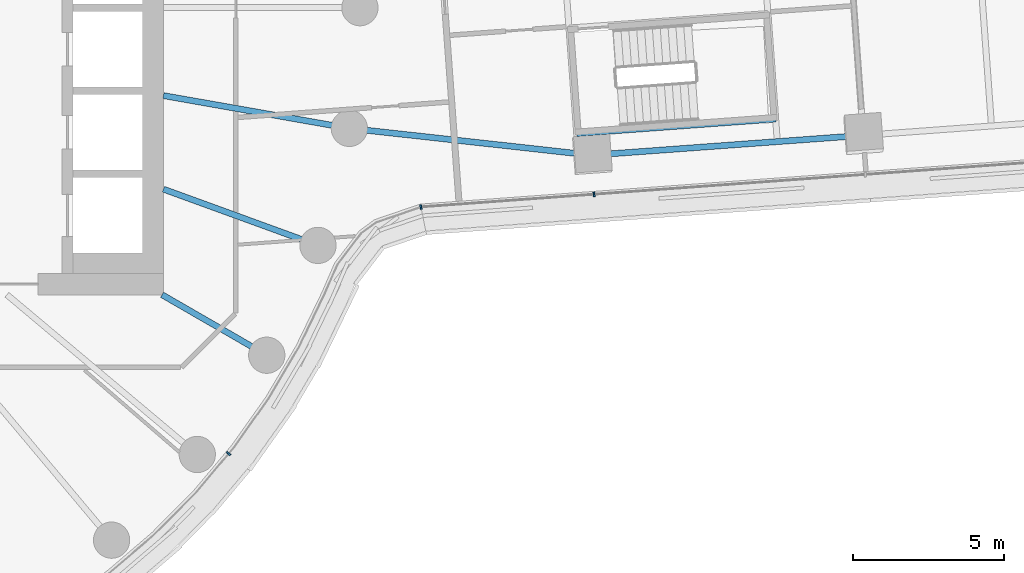
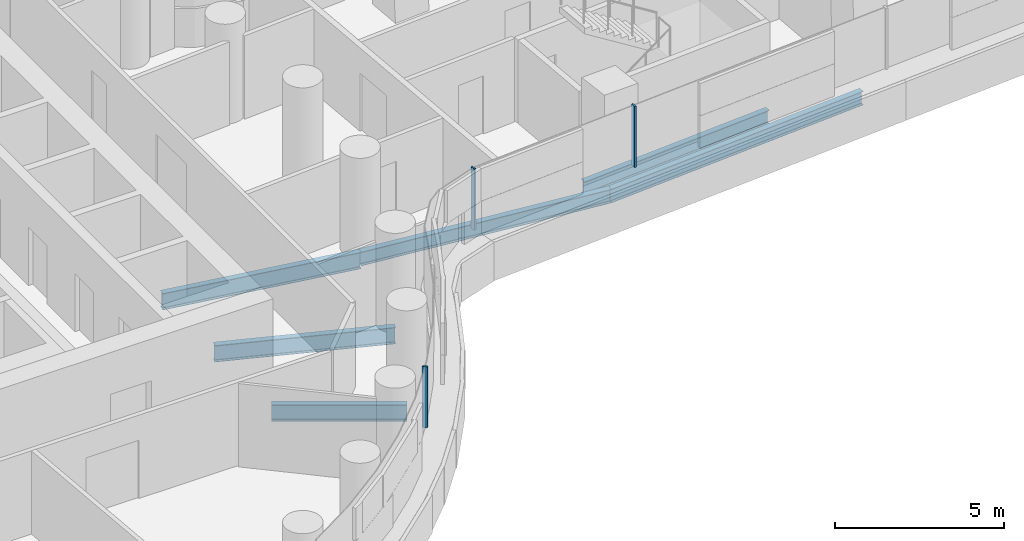
# One storey, part 9 of 31: 6 beams, 3 members, 2 elements without a shape of their own.
"""IFC4 building model written with IfcOpenShell, lengths in metres."""

from ifc_helpers import new_model, si_unit, direction, frame, origin, origin_2d, place, context, subcontext, project, spatial, rectangle, i_section, extrude, material, layer, layer_set, material_profile, profile_set, type_object, element, aggregate, save


model = new_model("IFC4")

# Units and contexts
model_context = context("Model", 3, precision=1e-05, world=origin(), true_north=direction((0.0, 1.0)))
body_context = subcontext(model_context, "Body", "Model", "MODEL_VIEW")
ifc_project = project(units=[si_unit("LENGTHUNIT", "METRE"), si_unit("AREAUNIT", "SQUARE_METRE"), si_unit("VOLUMEUNIT", "CUBIC_METRE"), si_unit("PLANEANGLEUNIT", "RADIAN"), si_unit("MASSUNIT", "GRAM", prefix="KILO")], contexts=[model_context])

# Site, building, storey
site_placement = place(None, origin())
site = spatial("IfcSite", under=ifc_project, at=site_placement, CompositionType="ELEMENT")
building_placement = place(site_placement, origin())
building = spatial("IfcBuilding", under=site, at=building_placement, Name="Tamarind Cross Interchange Tower", CompositionType="ELEMENT")
storey_placement = place(building_placement, frame((0.0, 0.0, 49.0)))
storey = spatial("IfcBuildingStorey", under=building, at=storey_placement, Name="L10", CompositionType="ELEMENT", Elevation=49.0)

# Beams
ifc_material_1 = material(Name="Steel Q355B", Category="steel")
ifc_material_profile_1 = material_profile(ifc_material_1, i_section(OverallWidth=0.198974609375, OverallDepth=0.49609375, WebThickness=0.009033203125, FlangeThickness=0.013916015625, FilletRadius=0.012939453125, at=origin_2d()), Name="HN 496x199x9x14")
ifc_profile_set_1 = profile_set([ifc_material_profile_1], Name="Steel Q355B")
beam_type_1 = type_object("IfcBeamType", Name="Composite beam HN 496x199x9x14 Q355B", PredefinedType="BEAM", material=ifc_profile_set_1)
beam_1_placement = place(storey_placement, frame((39.65478515625, -4.224609375, -0.387939453125), z_axis=(-0.997340028026, -0.072889426516, 0.0), x_axis=(0.072889426516, -0.997340028026, 0.0)))
element("IfcBeam", 1, at=beam_1_placement, inside=storey, type_object=beam_type_1, Name="Beam E-edgeem6", PredefinedType="BEAM", context=body_context, shape_type="SweptSolid", body=[
    extrude(i_section(OverallWidth=0.198974609375, OverallDepth=0.49609375, WebThickness=0.009033203125, FlangeThickness=0.013916015625, FilletRadius=0.012939453125, at=origin_2d()), origin(), (0.0, 0.0, 1.0), 9.0),
])
beam_2_placement = place(storey_placement, frame((30.6787109375, -4.880615234375, -0.387939453125), z_axis=(-0.993955405475, 0.109784570528, 0.0), x_axis=(-0.109784570528, -0.993955405475, 0.0)))
element("IfcBeam", 2, at=beam_2_placement, inside=storey, type_object=beam_type_1, Name="Beam E-linkem", PredefinedType="BEAM", context=body_context, shape_type="SweptSolid", body=[
    extrude(i_section(OverallWidth=0.198974609375, OverallDepth=0.49609375, WebThickness=0.009033203125, FlangeThickness=0.013916015625, FilletRadius=0.012939453125, at=origin_2d()), origin(), (0.0, 0.0, 1.0), 8.076904296875),
])
beam_3_placement = place(storey_placement, frame((30.17529296875, -4.165283203125, -0.387939453125), z_axis=(0.997341335164, 0.072871538843, 0.0), x_axis=(-0.072871538843, 0.997341335164, 0.0)))
element("IfcBeam", 3, at=beam_3_placement, inside=storey, type_object=beam_type_1, Name="Beam E-tr0", PredefinedType="BEAM", context=body_context, shape_type="SweptSolid", body=[
    extrude(i_section(OverallWidth=0.198974609375, OverallDepth=0.49609375, WebThickness=0.009033203125, FlangeThickness=0.013916015625, FilletRadius=0.012939453125, at=origin_2d()), origin(), (0.0, 0.0, 1.0), 6.60009765625),
])
ifc_material_profile_2 = material_profile(ifc_material_1, i_section(OverallWidth=0.198974609375, OverallDepth=0.595947265625, WebThickness=0.010009765625, FlangeThickness=0.014892578125, FilletRadius=0.012939453125, at=origin_2d()), Name="HN 596x199x10x15")
ifc_profile_set_2 = profile_set([ifc_material_profile_2], Name="Steel Q355B")
beam_type_2 = type_object("IfcBeamType", Name="Composite beam HN 596x199x10x15 Q355B", PredefinedType="BEAM", material=ifc_profile_set_2)
beam_4_placement = place(storey_placement, frame((19.918701171875, -11.5, -0.43798828125), z_axis=(-0.866026010844, 0.49999894854, 0.0), x_axis=(-0.49999894854, -0.866026010844, 0.0)))
element("IfcBeam", 4, at=beam_4_placement, inside=storey, type_object=beam_type_2, Name="Beam HH33", PredefinedType="BEAM", context=body_context, shape_type="SweptSolid", body=[
    extrude(i_section(OverallWidth=0.198974609375, OverallDepth=0.595947265625, WebThickness=0.010009765625, FlangeThickness=0.014892578125, FilletRadius=0.012939453125, at=origin_2d()), origin(), (0.0, 0.0, 1.0), 4.0),
])
beam_5_placement = place(storey_placement, frame((21.613037109375, -7.866455078125, -0.43798828125), z_axis=(-0.939701685589, 0.341995236956, 0.0), x_axis=(-0.341995236956, -0.939701685589, 0.0)))
element("IfcBeam", 5, at=beam_5_placement, inside=storey, type_object=beam_type_2, Name="Beam HH34", PredefinedType="BEAM", context=body_context, shape_type="SweptSolid", body=[
    extrude(i_section(OverallWidth=0.198974609375, OverallDepth=0.595947265625, WebThickness=0.010009765625, FlangeThickness=0.014892578125, FilletRadius=0.012939453125, at=origin_2d()), origin(), (0.0, 0.0, 1.0), 5.441162109375),
])
beam_6_placement = place(storey_placement, frame((22.650634765625, -3.993896484375, -0.43798828125), z_axis=(-0.984809127561, 0.173640382036, 0.0), x_axis=(-0.173640382036, -0.984809127561, 0.0)))
element("IfcBeam", 6, at=beam_6_placement, inside=storey, type_object=beam_type_2, Name="Beam HH35", PredefinedType="BEAM", context=body_context, shape_type="SweptSolid", body=[
    extrude(i_section(OverallWidth=0.198974609375, OverallDepth=0.595947265625, WebThickness=0.010009765625, FlangeThickness=0.014892578125, FilletRadius=0.012939453125, at=origin_2d()), origin(), (0.0, 0.0, 1.0), 6.24560546875),
])

# Curtain wall, member
ifc_material_2 = material(Name="Aluminium 6063-T6", Category="aluminium")
ifc_layer = layer(ifc_material_2, 0.159912109375)
ifc_layer_set = layer_set([ifc_layer], Name="Aluminium 6063-T6")
curtain_wall_type = type_object("IfcCurtainWallType", Name="Office curtain wall, 9.0 m bays", PredefinedType="NOTDEFINED", material=ifc_layer_set)
curtain_wall_1_placement = place(storey_placement, origin())
curtain_wall_1 = element("IfcCurtainWall", 7, at=curtain_wall_1_placement, inside=storey, type_object=curtain_wall_type, Name="CWS-L10-10", PredefinedType="NOTDEFINED")
ifc_material_profile_3 = material_profile(ifc_material_2, rectangle(XDim=0.06005859375, YDim=0.159912109375, at=origin_2d()), Name="Mullion CW1")
ifc_profile_set_3 = profile_set([ifc_material_profile_3], Name="Aluminium 6063-T6")
member_type = type_object("IfcMemberType", Name="Mullion CW1", PredefinedType="MULLION", material=ifc_profile_set_3)
member_1_placement = place(storey_placement, frame((18.655029296875, -14.756103515625, 1.39990234375), z_axis=(0.0, 0.0, 1.0), x_axis=(0.643009266048, 0.765858396687, 0.0)))
member_1 = element("IfcMember", 8, at=member_1_placement, type_object=member_type, Name="CWM-L10-10-02", PredefinedType="MULLION", context=body_context, shape_type="SweptSolid", body=[
    extrude(rectangle(XDim=0.06005859375, YDim=0.159912109375, at=origin_2d()), origin(), (0.0, 0.0, 1.0), 2.210205078125),
])
aggregate(curtain_wall_1, [member_1])

# Curtain wall, members
curtain_wall_2_placement = place(storey_placement, origin())
curtain_wall_2 = element("IfcCurtainWall", 9, at=curtain_wall_2_placement, inside=storey, type_object=curtain_wall_type, Name="CWS-L10-11", PredefinedType="NOTDEFINED")
member_2_placement = place(storey_placement, frame((25.01953125, -6.597412109375, 1.39990234375), z_axis=(0.0, 0.0, 1.0), x_axis=(0.97991114269, 0.199434581834, 0.0)))
member_2 = element("IfcMember", 10, at=member_2_placement, type_object=member_type, Name="CWM-L10-11-00", PredefinedType="MULLION", context=body_context, shape_type="SweptSolid", body=[
    extrude(rectangle(XDim=0.06005859375, YDim=0.159912109375, at=origin_2d()), origin(), (0.0, 0.0, 1.0), 2.210205078125),
])
member_3_placement = place(storey_placement, frame((30.747802734375, -6.178955078125, 1.39990234375), z_axis=(0.0, 0.0, 1.0), x_axis=(0.997340999058, 0.072876138746, 0.0)))
member_3 = element("IfcMember", 11, at=member_3_placement, type_object=member_type, Name="CWM-L10-11-01", PredefinedType="MULLION", context=body_context, shape_type="SweptSolid", body=[
    extrude(rectangle(XDim=0.06005859375, YDim=0.159912109375, at=origin_2d()), origin(), (0.0, 0.0, 1.0), 2.210205078125),
])
aggregate(curtain_wall_2, [member_2, member_3])

save(model, "model.ifc")
